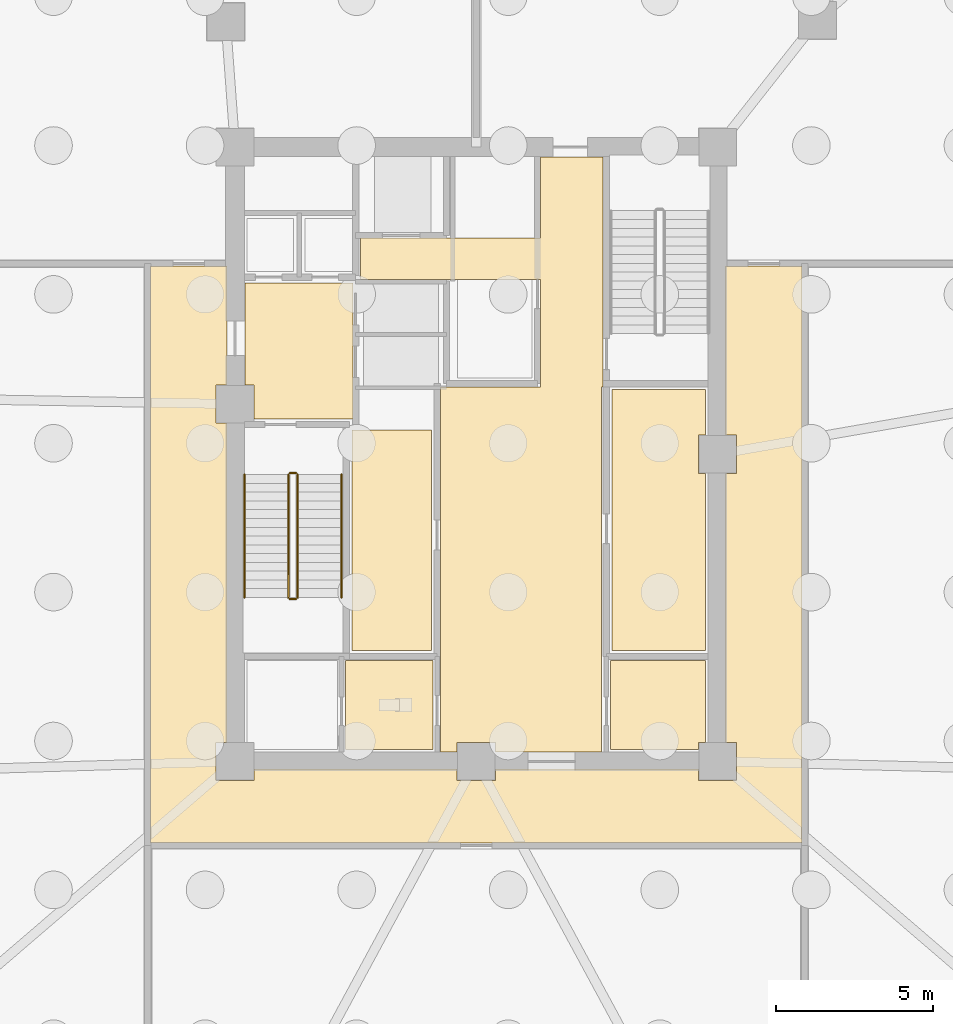
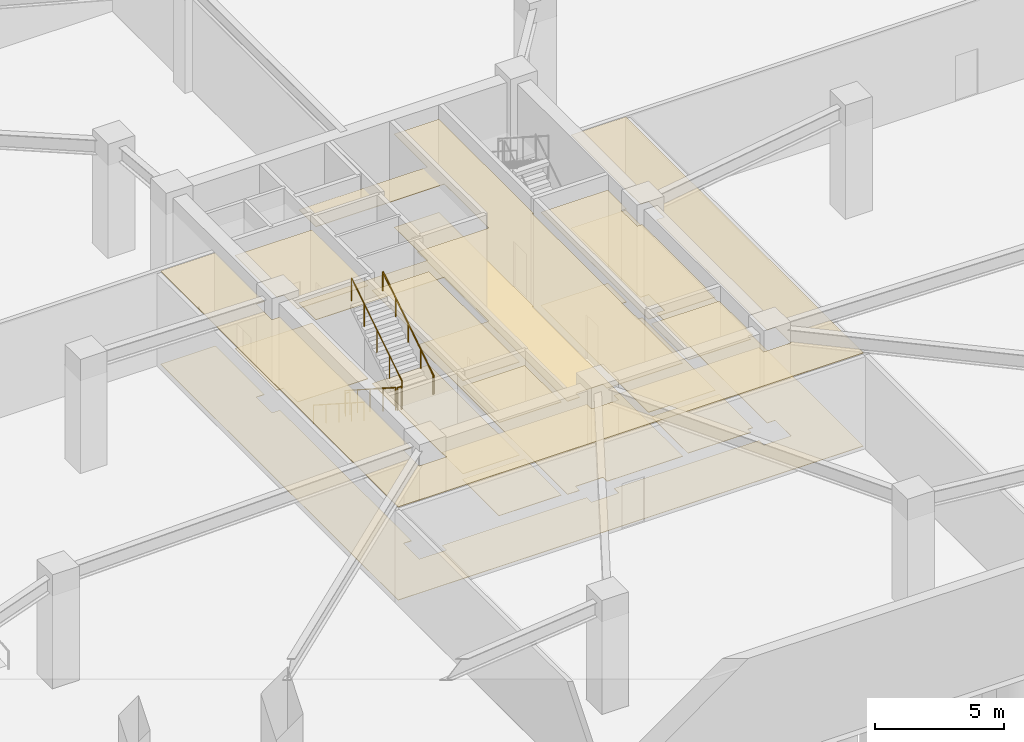
# One storey, part 7 of 12: 14 coverings, 6 railings.
"""IFC4 building model written with IfcOpenShell, lengths in metres."""

from ifc_helpers import new_model, si_unit, direction, frame, origin, origin_2d, place, context, subcontext, project, spatial, polyline, circle, outline, extrude, material, layer, layer_set, type_object, element, save


model = new_model("IFC4")

# Units and contexts
model_context = context("Model", 3, precision=1e-05, world=origin(), true_north=direction((0.0, 1.0)))
body_context = subcontext(model_context, "Body", "Model", "MODEL_VIEW")
ifc_project = project(units=[si_unit("LENGTHUNIT", "METRE"), si_unit("AREAUNIT", "SQUARE_METRE"), si_unit("VOLUMEUNIT", "CUBIC_METRE"), si_unit("PLANEANGLEUNIT", "RADIAN"), si_unit("MASSUNIT", "GRAM", prefix="KILO")], contexts=[model_context])

# Site, building, storey
site_placement = place(None, origin())
site = spatial("IfcSite", under=ifc_project, at=site_placement, CompositionType="ELEMENT")
building_placement = place(site_placement, origin())
building = spatial("IfcBuilding", under=site, at=building_placement, Name="Savorim Split Tower", CompositionType="ELEMENT")
storey_placement = place(building_placement, frame((0.0, 0.0, -5.39990234375)))
storey = spatial("IfcBuildingStorey", under=building, at=storey_placement, Name="B01", CompositionType="ELEMENT", Elevation=-5.39990234375)

# Coverings
ifc_material_1 = material(Name="Mineral Fibre Acoustic Ceiling")
ifc_layer_1 = layer(ifc_material_1, 0.02490234375)
ifc_layer_set_1 = layer_set([ifc_layer_1], Name="COV-CEIL-25")
covering_type_1 = type_object("IfcCoveringType", Name="COV-CEIL-25", PredefinedType="CEILING", material=ifc_layer_set_1)
covering_1_placement = place(storey_placement, frame((0.0, 0.0, 4.39990234375)))
element("IfcCovering", 1, at=covering_1_placement, inside=storey, type_object=covering_type_1, Name="B01 Firefighting Lift Lobby Acoustic Ceiling", PredefinedType="CEILING", context=body_context, shape_type="SweptSolid", body=[
    extrude(outline(polyline([(-3.929931640625, 5.8701171875), (-7.3798828125, 5.8701171875), (-7.3798828125, 2.610107421875), (-7.090087890625, 2.610107421875), (-7.090087890625, 1.530029296875), (-3.929931640625, 1.530029296875), (-3.929931640625, 5.8701171875)])), origin(), (0.0, 0.0, 1.0), 0.02490234375),
])
covering_2_placement = place(storey_placement, frame((0.0, 0.0, 4.39990234375)))
element("IfcCovering", 2, at=covering_2_placement, inside=storey, type_object=covering_type_1, Name="B01 Lift Lobby Acoustic Ceiling", PredefinedType="CEILING", context=body_context, shape_type="SweptSolid", body=[
    extrude(outline(polyline([(2.050048828125, 2.550048828125), (-1.14990234375, 2.550048828125), (-1.14990234375, -9.10009765625), (-0.610107421875, -9.10009765625), (-0.610107421875, -8.7900390625), (0.610107421875, -8.7900390625), (0.610107421875, -9.10009765625), (4.0, -9.10009765625), (4.0, 2.550048828125), (4.050048828125, 2.550048828125), (4.050048828125, 5.97998046875), (4.050048828125, 7.300048828125), (4.050048828125, 9.8798828125), (2.050048828125, 9.8798828125), (2.050048828125, 7.300048828125), (-3.699951171875, 7.300048828125), (-3.699951171875, 5.97998046875), (2.050048828125, 5.97998046875), (2.050048828125, 2.550048828125)])), origin(), (0.0, 0.0, 1.0), 0.02490234375),
])
covering_3_placement = place(storey_placement, frame((0.0, 0.0, 4.39990234375)))
element("IfcCovering", 3, at=covering_3_placement, inside=storey, type_object=covering_type_1, Name="B01 Substructure Core Store East Acoustic Ceiling", PredefinedType="CEILING", context=body_context, shape_type="SweptSolid", body=[
    extrude(outline(polyline([(4.330078125, -5.8701171875), (7.320068359375, -5.8701171875), (7.320068359375, -0.2099609375), (7.090087890625, -0.2099609375), (7.090087890625, 1.010009765625), (7.320068359375, 1.010009765625), (7.320068359375, 2.469970703125), (4.330078125, 2.469970703125), (4.330078125, -5.8701171875)])), origin(), (0.0, 0.0, 1.0), 0.02490234375),
])
covering_4_placement = place(storey_placement, frame((0.0, 0.0, 4.39990234375)))
element("IfcCovering", 4, at=covering_4_placement, inside=storey, type_object=covering_type_1, Name="B01 Core Mechanical Store West Acoustic Ceiling", PredefinedType="CEILING", context=body_context, shape_type="SweptSolid", body=[
    extrude(outline(polyline([(-3.969970703125, 1.169921875), (-3.969970703125, -5.8701171875), (-1.429931640625, -5.8701171875), (-1.429931640625, 1.169921875), (-3.969970703125, 1.169921875)])), origin(), (0.0, 0.0, 1.0), 0.02490234375),
])
covering_5_placement = place(storey_placement, frame((0.0, 0.0, 4.39990234375)))
element("IfcCovering", 5, at=covering_5_placement, inside=storey, type_object=covering_type_1, Name="B01 Accessible WC Acoustic Ceiling", PredefinedType="CEILING", context=body_context, shape_type="SweptSolid", body=[
    extrude(outline(polyline([(-4.169921875, -6.179931640625), (-4.169921875, -9.02001953125), (-1.3798828125, -9.02001953125), (-1.3798828125, -6.179931640625), (-4.169921875, -6.179931640625)])), origin(), (0.0, 0.0, 1.0), 0.02490234375),
])
covering_6_placement = place(storey_placement, frame((0.0, 0.0, 4.39990234375)))
element("IfcCovering", 6, at=covering_6_placement, inside=storey, type_object=covering_type_1, Name="B01 Core IT Server Room Acoustic Ceiling", PredefinedType="CEILING", context=body_context, shape_type="SweptSolid", body=[
    extrude(outline(polyline([(4.280029296875, -6.179931640625), (4.280029296875, -9.02001953125), (7.090087890625, -9.02001953125), (7.090087890625, -8.7900390625), (7.320068359375, -8.7900390625), (7.320068359375, -6.179931640625), (4.280029296875, -6.179931640625)])), origin(), (0.0, 0.0, 1.0), 0.02490234375),
])
covering_7_placement = place(storey_placement, frame((0.0, 0.0, 4.39990234375)))
element("IfcCovering", 7, at=covering_7_placement, inside=storey, type_object=covering_type_1, Name="B01 Plant Corridor Acoustic Ceiling", PredefinedType="CEILING", context=body_context, shape_type="SweptSolid", body=[
    extrude(outline(polyline([(-10.39990234375, -12.0), (-7.699951171875, -12.0), (7.699951171875, -12.0), (10.39990234375, -12.0), (10.39990234375, -9.39990234375), (10.39990234375, 6.39990234375), (7.949951171875, 6.39990234375), (7.949951171875, 1.010009765625), (8.31005859375, 1.010009765625), (8.31005859375, -0.2099609375), (7.949951171875, -0.2099609375), (7.949951171875, -8.7900390625), (8.31005859375, -8.7900390625), (8.31005859375, -10.010009765625), (7.090087890625, -10.010009765625), (7.090087890625, -9.64990234375), (0.610107421875, -9.64990234375), (0.610107421875, -10.010009765625), (-0.610107421875, -10.010009765625), (-0.610107421875, -9.64990234375), (-7.090087890625, -9.64990234375), (-7.090087890625, -10.010009765625), (-8.31005859375, -10.010009765625), (-8.31005859375, -8.7900390625), (-7.949951171875, -8.7900390625), (-7.949951171875, 1.389892578125), (-8.31005859375, 1.389892578125), (-8.31005859375, 2.610107421875), (-7.949951171875, 2.610107421875), (-7.949951171875, 6.39990234375), (-10.39990234375, 6.39990234375), (-10.39990234375, -9.39990234375), (-10.39990234375, -12.0)])), origin(), (0.0, 0.0, 1.0), 0.02490234375),
])
ifc_material_2 = material(Name="Porcelain Stoneware Flooring", Category="masonry")
ifc_layer_2 = layer(ifc_material_2, 0.02001953125)
ifc_layer_set_2 = layer_set([ifc_layer_2], Name="COV-FLOR-20")
covering_type_2 = type_object("IfcCoveringType", Name="COV-FLOR-20", PredefinedType="FLOORING", material=ifc_layer_set_2)
covering_8_placement = place(storey_placement, origin())
element("IfcCovering", 8, at=covering_8_placement, inside=storey, type_object=covering_type_2, Name="B01 Firefighting Lift Lobby Porcelain Flooring", PredefinedType="FLOORING", context=body_context, shape_type="SweptSolid", body=[
    extrude(outline(polyline([(-3.929931640625, 5.8701171875), (-7.3798828125, 5.8701171875), (-7.3798828125, 2.610107421875), (-7.090087890625, 2.610107421875), (-7.090087890625, 1.530029296875), (-3.929931640625, 1.530029296875), (-3.929931640625, 5.8701171875)])), origin(), (0.0, 0.0, 1.0), 0.02001953125),
])
covering_9_placement = place(storey_placement, origin())
element("IfcCovering", 9, at=covering_9_placement, inside=storey, type_object=covering_type_2, Name="B01 Lift Lobby Porcelain Flooring", PredefinedType="FLOORING", context=body_context, shape_type="SweptSolid", body=[
    extrude(outline(polyline([(2.050048828125, 2.550048828125), (-1.14990234375, 2.550048828125), (-1.14990234375, -9.10009765625), (-0.610107421875, -9.10009765625), (-0.610107421875, -8.7900390625), (0.610107421875, -8.7900390625), (0.610107421875, -9.10009765625), (4.0, -9.10009765625), (4.0, 2.550048828125), (4.050048828125, 2.550048828125), (4.050048828125, 5.97998046875), (4.050048828125, 7.300048828125), (4.050048828125, 9.8798828125), (2.050048828125, 9.8798828125), (2.050048828125, 7.300048828125), (-3.699951171875, 7.300048828125), (-3.699951171875, 5.97998046875), (2.050048828125, 5.97998046875), (2.050048828125, 2.550048828125)])), origin(), (0.0, 0.0, 1.0), 0.02001953125),
])
covering_10_placement = place(storey_placement, origin())
element("IfcCovering", 10, at=covering_10_placement, inside=storey, type_object=covering_type_2, Name="B01 Substructure Core Store East Porcelain Flooring", PredefinedType="FLOORING", context=body_context, shape_type="SweptSolid", body=[
    extrude(outline(polyline([(4.330078125, -5.8701171875), (7.320068359375, -5.8701171875), (7.320068359375, -0.2099609375), (7.090087890625, -0.2099609375), (7.090087890625, 1.010009765625), (7.320068359375, 1.010009765625), (7.320068359375, 2.469970703125), (4.330078125, 2.469970703125), (4.330078125, -5.8701171875)])), origin(), (0.0, 0.0, 1.0), 0.02001953125),
])
covering_11_placement = place(storey_placement, origin())
element("IfcCovering", 11, at=covering_11_placement, inside=storey, type_object=covering_type_2, Name="B01 Core Mechanical Store West Porcelain Flooring", PredefinedType="FLOORING", context=body_context, shape_type="SweptSolid", body=[
    extrude(outline(polyline([(-3.969970703125, 1.169921875), (-3.969970703125, -5.8701171875), (-1.429931640625, -5.8701171875), (-1.429931640625, 1.169921875), (-3.969970703125, 1.169921875)])), origin(), (0.0, 0.0, 1.0), 0.02001953125),
])
covering_12_placement = place(storey_placement, origin())
element("IfcCovering", 12, at=covering_12_placement, inside=storey, type_object=covering_type_2, Name="B01 Accessible WC Porcelain Flooring", PredefinedType="FLOORING", context=body_context, shape_type="SweptSolid", body=[
    extrude(outline(polyline([(-4.169921875, -6.179931640625), (-4.169921875, -9.02001953125), (-1.3798828125, -9.02001953125), (-1.3798828125, -6.179931640625), (-4.169921875, -6.179931640625)])), origin(), (0.0, 0.0, 1.0), 0.02001953125),
])
covering_13_placement = place(storey_placement, origin())
element("IfcCovering", 13, at=covering_13_placement, inside=storey, type_object=covering_type_2, Name="B01 Core IT Server Room Porcelain Flooring", PredefinedType="FLOORING", context=body_context, shape_type="SweptSolid", body=[
    extrude(outline(polyline([(4.280029296875, -6.179931640625), (4.280029296875, -9.02001953125), (7.090087890625, -9.02001953125), (7.090087890625, -8.7900390625), (7.320068359375, -8.7900390625), (7.320068359375, -6.179931640625), (4.280029296875, -6.179931640625)])), origin(), (0.0, 0.0, 1.0), 0.02001953125),
])
covering_14_placement = place(storey_placement, origin())
element("IfcCovering", 14, at=covering_14_placement, inside=storey, type_object=covering_type_2, Name="B01 Plant Corridor Porcelain Flooring", PredefinedType="FLOORING", context=body_context, shape_type="SweptSolid", body=[
    extrude(outline(polyline([(-10.39990234375, -12.0), (-7.699951171875, -12.0), (7.699951171875, -12.0), (10.39990234375, -12.0), (10.39990234375, -9.39990234375), (10.39990234375, 6.39990234375), (7.949951171875, 6.39990234375), (7.949951171875, 1.010009765625), (8.31005859375, 1.010009765625), (8.31005859375, -0.2099609375), (7.949951171875, -0.2099609375), (7.949951171875, -8.7900390625), (8.31005859375, -8.7900390625), (8.31005859375, -10.010009765625), (7.090087890625, -10.010009765625), (7.090087890625, -9.64990234375), (0.610107421875, -9.64990234375), (0.610107421875, -10.010009765625), (-0.610107421875, -10.010009765625), (-0.610107421875, -9.64990234375), (-7.090087890625, -9.64990234375), (-7.090087890625, -10.010009765625), (-8.31005859375, -10.010009765625), (-8.31005859375, -8.7900390625), (-7.949951171875, -8.7900390625), (-7.949951171875, 1.389892578125), (-8.31005859375, 1.389892578125), (-8.31005859375, 2.610107421875), (-7.949951171875, 2.610107421875), (-7.949951171875, 6.39990234375), (-10.39990234375, 6.39990234375), (-10.39990234375, -9.39990234375), (-10.39990234375, -12.0)])), origin(), (0.0, 0.0, 1.0), 0.02001953125),
])

# Railings
ifc_material_3 = material(Name="Galvanised Painted Steel Balustrade", Category="steel")
railing_type_1 = type_object("IfcRailingType", Name="RLG-HR-900", PredefinedType="HANDRAIL", material=ifc_material_3)
railing_1_placement = place(storey_placement, frame((-7.39990234375, -0.25, 0.179931640625)))
element("IfcRailing", 15, at=railing_1_placement, inside=storey, type_object=railing_type_1, Name="B01 ST-1 stair handrail 1", PredefinedType="HANDRAIL", context=body_context, shape_type="SweptSolid", body=[
    extrude(circle(Radius=0.02392578125, at=origin_2d()), frame((0.0, 0.0, 0.8759765625), z_axis=(0.0, -0.841171666519, 0.540768182723), x_axis=(1.0, 0.0, 0.0)), (0.0, 0.0, 1.0), 4.66015625),
    extrude(circle(Radius=0.02099609375, at=origin_2d()), origin(), (0.0, 0.0, 1.0), 0.851806640625),
    extrude(circle(Radius=0.02099609375, at=origin_2d()), frame((0.0, -0.97998046875, 0.6298828125)), (0.0, 0.0, 1.0), 0.851806640625),
    extrude(circle(Radius=0.02099609375, at=origin_2d()), frame((0.0, -1.9599609375, 1.260009765625)), (0.0, 0.0, 1.0), 0.851806640625),
    extrude(circle(Radius=0.02099609375, at=origin_2d()), frame((0.0, -2.93994140625, 1.89013671875)), (0.0, 0.0, 1.0), 0.851806640625),
    extrude(circle(Radius=0.02099609375, at=origin_2d()), frame((0.0, -3.919921875, 2.52001953125)), (0.0, 0.0, 1.0), 0.851806640625),
])
railing_2_placement = place(storey_placement, frame((-4.300048828125, -4.169921875, 2.8798828125)))
element("IfcRailing", 16, at=railing_2_placement, inside=storey, type_object=railing_type_1, Name="B01 ST-1 stair handrail 2", PredefinedType="HANDRAIL", context=body_context, shape_type="SweptSolid", body=[
    extrude(circle(Radius=0.02392578125, at=origin_2d()), frame((0.0, 0.0, 0.8759765625), z_axis=(0.0, 0.841171666519, 0.540768182723), x_axis=(-1.0, 0.0, 0.0)), (0.0, 0.0, 1.0), 4.66015625),
    extrude(circle(Radius=0.02099609375, at=origin_2d()), origin(), (0.0, 0.0, 1.0), 0.851806640625),
    extrude(circle(Radius=0.02099609375, at=origin_2d()), frame((0.0, 0.97998046875, 0.6298828125)), (0.0, 0.0, 1.0), 0.851806640625),
    extrude(circle(Radius=0.02099609375, at=origin_2d()), frame((0.0, 1.9599609375, 1.260009765625)), (0.0, 0.0, 1.0), 0.851806640625),
    extrude(circle(Radius=0.02099609375, at=origin_2d()), frame((0.0, 2.93994140625, 1.89013671875)), (0.0, 0.0, 1.0), 0.851806640625),
    extrude(circle(Radius=0.02099609375, at=origin_2d()), frame((0.0, 3.919921875, 2.52001953125)), (0.0, 0.0, 1.0), 0.851806640625),
])
railing_type_2 = type_object("IfcRailingType", Name="RLG-STG-1100", PredefinedType="BALUSTRADE", material=ifc_material_3)
railing_3_placement = place(storey_placement, frame((-6.0, -0.25, 0.179931640625)))
element("IfcRailing", 17, at=railing_3_placement, inside=storey, type_object=railing_type_2, Name="B01 ST-1 stair guard 1", PredefinedType="BALUSTRADE", context=body_context, shape_type="SweptSolid", body=[
    extrude(circle(Radius=0.02392578125, at=origin_2d()), frame((0.0, 0.0, 1.076171875), z_axis=(0.0, -0.841171666519, 0.540768182723), x_axis=(1.0, 0.0, 0.0)), (0.0, 0.0, 1.0), 4.66015625),
    extrude(circle(Radius=0.02099609375, at=origin_2d()), origin(), (0.0, 0.0, 1.0), 1.052001953125),
    extrude(circle(Radius=0.02099609375, at=origin_2d()), frame((0.0, -0.97998046875, 0.6298828125)), (0.0, 0.0, 1.0), 1.052001953125),
    extrude(circle(Radius=0.02099609375, at=origin_2d()), frame((0.0, -1.9599609375, 1.260009765625)), (0.0, 0.0, 1.0), 1.052001953125),
    extrude(circle(Radius=0.02099609375, at=origin_2d()), frame((0.0, -2.93994140625, 1.89013671875)), (0.0, 0.0, 1.0), 1.052001953125),
    extrude(circle(Radius=0.02099609375, at=origin_2d()), frame((0.0, -3.919921875, 2.52001953125)), (0.0, 0.0, 1.0), 1.052001953125),
])
railing_4_placement = place(storey_placement, frame((-5.949951171875, -4.219970703125, 2.699951171875)))
element("IfcRailing", 18, at=railing_4_placement, inside=storey, type_object=railing_type_2, Name="B01 ST-1 stair guard 2", PredefinedType="BALUSTRADE", context=body_context, shape_type="SweptSolid", body=[
    extrude(circle(Radius=0.02392578125, at=origin_2d()), frame((0.0, 0.0, 1.076171875), z_axis=(1.0, 0.0, 0.0), x_axis=(0.0, 1.0, 0.0)), (0.0, 0.0, 1.0), 0.199951171875),
    extrude(circle(Radius=0.02099609375, at=origin_2d()), origin(), (0.0, 0.0, 1.0), 1.052001953125),
    extrude(circle(Radius=0.02099609375, at=origin_2d()), frame((0.199951171875, 0.0, 0.0)), (0.0, 0.0, 1.0), 1.052001953125),
])
railing_5_placement = place(storey_placement, frame((-5.699951171875, -4.169921875, 2.8798828125)))
element("IfcRailing", 19, at=railing_5_placement, inside=storey, type_object=railing_type_2, Name="B01 ST-1 stair guard 3", PredefinedType="BALUSTRADE", context=body_context, shape_type="SweptSolid", body=[
    extrude(circle(Radius=0.02392578125, at=origin_2d()), frame((0.0, 0.0, 1.076171875), z_axis=(0.0, 0.841171666519, 0.540768182723), x_axis=(-1.0, 0.0, 0.0)), (0.0, 0.0, 1.0), 4.66015625),
    extrude(circle(Radius=0.02099609375, at=origin_2d()), origin(), (0.0, 0.0, 1.0), 1.052001953125),
    extrude(circle(Radius=0.02099609375, at=origin_2d()), frame((0.0, 0.97998046875, 0.6298828125)), (0.0, 0.0, 1.0), 1.052001953125),
    extrude(circle(Radius=0.02099609375, at=origin_2d()), frame((0.0, 1.9599609375, 1.260009765625)), (0.0, 0.0, 1.0), 1.052001953125),
    extrude(circle(Radius=0.02099609375, at=origin_2d()), frame((0.0, 2.93994140625, 1.89013671875)), (0.0, 0.0, 1.0), 1.052001953125),
    extrude(circle(Radius=0.02099609375, at=origin_2d()), frame((0.0, 3.919921875, 2.52001953125)), (0.0, 0.0, 1.0), 1.052001953125),
])
railing_6_placement = place(storey_placement, frame((-5.949951171875, -0.199951171875, 0.0)))
element("IfcRailing", 20, at=railing_6_placement, inside=storey, type_object=railing_type_2, Name="B01 ST-1 stair guard 4", PredefinedType="BALUSTRADE", context=body_context, shape_type="SweptSolid", body=[
    extrude(circle(Radius=0.02392578125, at=origin_2d()), frame((0.0, 0.0, 1.076171875), z_axis=(1.0, 0.0, 0.0), x_axis=(0.0, 1.0, 0.0)), (0.0, 0.0, 1.0), 0.199951171875),
    extrude(circle(Radius=0.02099609375, at=origin_2d()), origin(), (0.0, 0.0, 1.0), 1.052001953125),
    extrude(circle(Radius=0.02099609375, at=origin_2d()), frame((0.199951171875, 0.0, 0.0)), (0.0, 0.0, 1.0), 1.052001953125),
])

save(model, "model.ifc")
